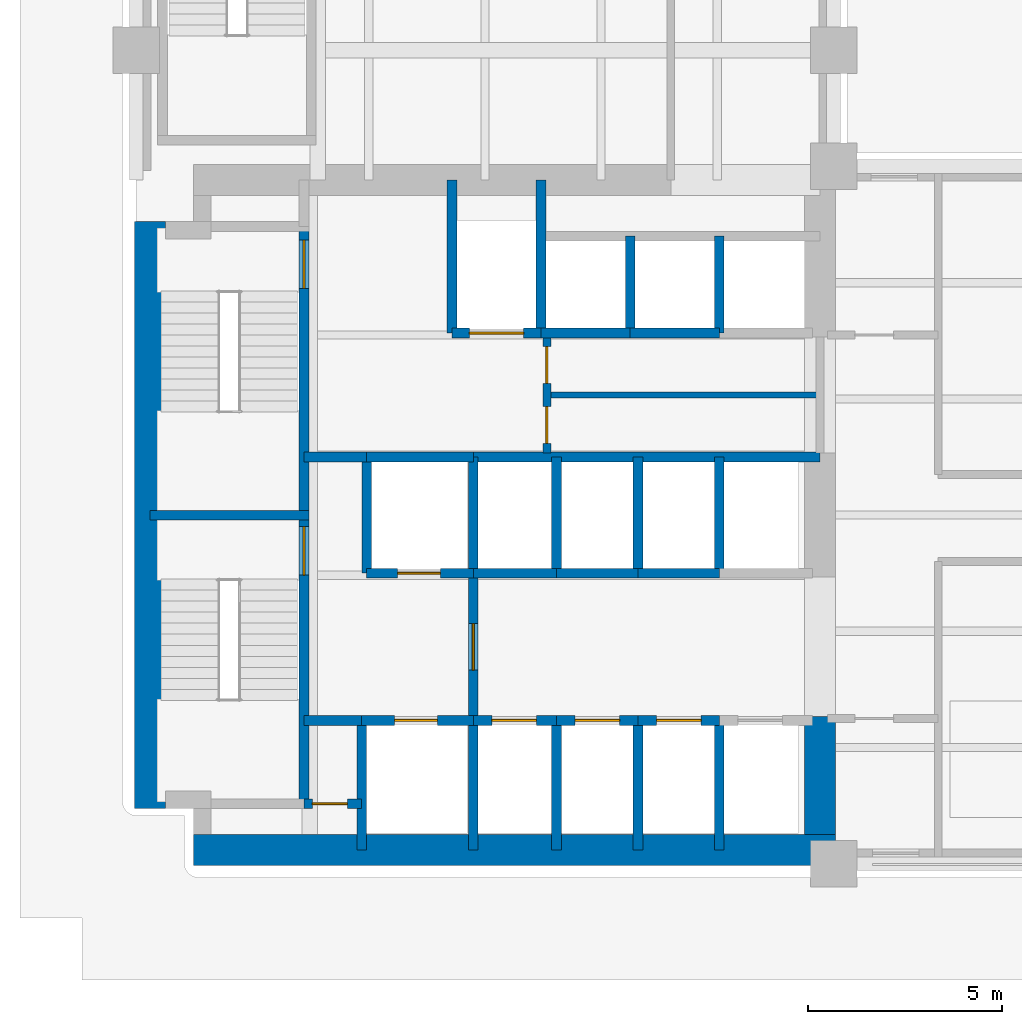
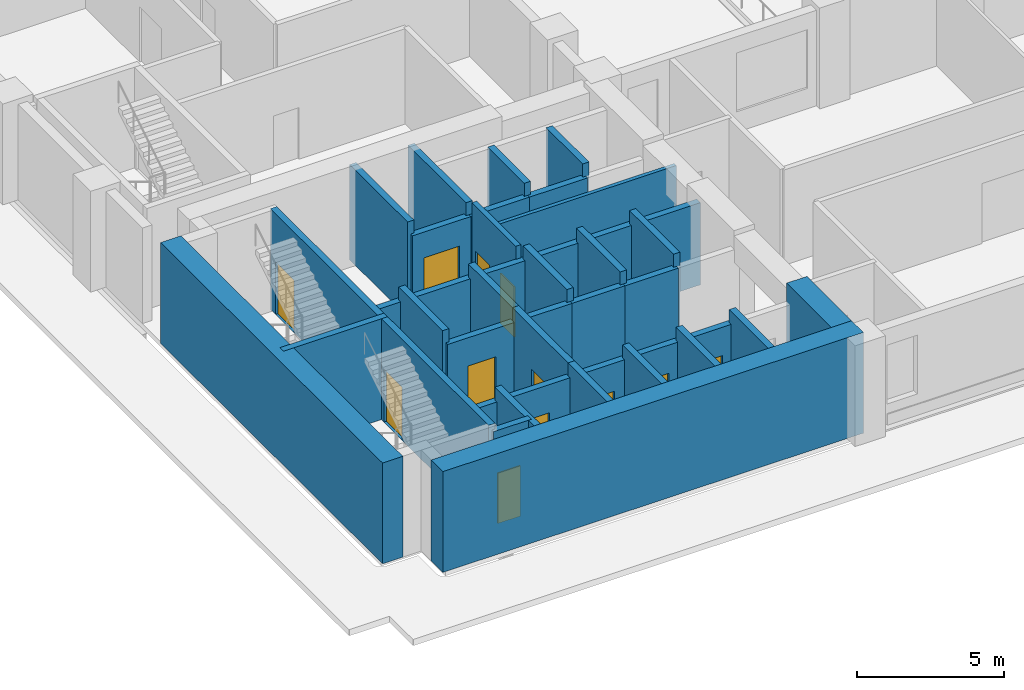
# One storey, part 4 of 9: 39 walls, 12 doors, 12 openings.
"""IFC4 building model written with IfcOpenShell, lengths in metres."""

from ifc_helpers import new_model, si_unit, direction, frame, frame_2d, origin, place, context, subcontext, project, spatial, rectangle, extrude, material, layer, layer_set, type_object, element, fill, save


model = new_model("IFC4")

# Units and contexts
model_context = context("Model", 3, precision=1e-05, world=origin(), true_north=direction((0.0, 1.0)))
body_context = subcontext(model_context, "Body", "Model", "MODEL_VIEW")
ifc_project = project(units=[si_unit("LENGTHUNIT", "METRE"), si_unit("AREAUNIT", "SQUARE_METRE"), si_unit("VOLUMEUNIT", "CUBIC_METRE"), si_unit("PLANEANGLEUNIT", "RADIAN"), si_unit("MASSUNIT", "GRAM", prefix="KILO")], contexts=[model_context])

# Site, building, storey
site_placement = place(None, origin())
site = spatial("IfcSite", under=ifc_project, at=site_placement, CompositionType="ELEMENT")
building_placement = place(site_placement, origin())
building = spatial("IfcBuilding", under=site, at=building_placement, Name="Mawjdan Bourse Tower", CompositionType="ELEMENT")
storey_placement = place(building_placement, frame((0.0, 0.0, 21.60009765625)))
storey = spatial("IfcBuildingStorey", under=building, at=storey_placement, Name="L04", CompositionType="ELEMENT", Elevation=21.60009765625)

# Wall, openings, doors
ifc_material_1 = material(Name="Gypsum Fireboard Assembly")
ifc_layer_1 = layer(ifc_material_1, 0.199951171875)
ifc_layer_set_1 = layer_set([ifc_layer_1], Name="Gypsum Fireboard Assembly")
wall_type_1 = type_object("IfcWallType", Name="WL-CMP-200", PredefinedType="PARTITIONING", material=ifc_layer_set_1)
wall_1_placement = place(storey_placement, frame((16.60009765625, 13.60009765625, 0.0), z_axis=(0.0, 0.0, 1.0), x_axis=(0.0, 1.0, 0.0)))
wall_1 = element("IfcWall", 1, at=wall_1_placement, inside=storey, type_object=wall_type_1, Name="L04 Core Restroom West Wall", PredefinedType="PARTITIONING", context=body_context, shape_type="SweptSolid", body=[
    extrude(rectangle(XDim=3.0, YDim=0.199951171875, at=frame_2d((1.5, 0.0))), origin(), (0.0, 0.0, 1.0), 3.969970703125),
])
opening_1_placement = place(wall_1_placement, frame((0.25, 0.0, 0.0)))
opening_1 = element("IfcOpeningElement", 2, at=opening_1_placement, cuts=wall_1, Name="Opening D-L04-14", PredefinedType="OPENING", context=body_context, shape_type="SweptSolid", body=[
    extrude(rectangle(XDim=0.949951171875, YDim=2.10009765625, at=frame_2d((0.47509765625, 1.050048828125))), frame((0.0, 0.10986328125, 0.0), z_axis=(0.0, -1.0, 0.0), x_axis=(1.0, 0.0, 0.0)), (0.0, 0.0, 1.0), 0.219970703125),
])
opening_2_placement = place(wall_1_placement, frame((1.800048828125, 0.0, 0.0)))
opening_2 = element("IfcOpeningElement", 3, at=opening_2_placement, cuts=wall_1, Name="Opening D-L04-15", PredefinedType="OPENING", context=body_context, shape_type="SweptSolid", body=[
    extrude(rectangle(XDim=0.949951171875, YDim=2.10009765625, at=frame_2d((0.47509765625, 1.050048828125))), frame((0.0, 0.10986328125, 0.0), z_axis=(0.0, -1.0, 0.0), x_axis=(1.0, 0.0, 0.0)), (0.0, 0.0, 1.0), 0.219970703125),
])
ifc_material_2 = material(Name="Moisture-Resistant Laminate Timber", Category="wood")
door_type_1 = type_object("IfcDoorType", Name="DR-WET-0950", OperationType="NOTDEFINED", PredefinedType="DOOR", material=ifc_material_2)
door_1_placement = place(opening_1_placement, origin())
door_1 = element("IfcDoor", 4, at=door_1_placement, inside=storey, type_object=door_type_1, Name="L04 Accessible WC Entry Door D-L04-14", OperationType="SINGLE_SWING_LEFT", OverallHeight=2.10009765625, OverallWidth=0.949951171875, PredefinedType="DOOR", context=body_context, shape_type="SweptSolid", body=[
    extrude(rectangle(XDim=0.949951171875, YDim=2.10009765625, at=frame_2d((0.47509765625, 1.050048828125))), frame((0.0, 0.02490234375, 0.0), z_axis=(0.0, -1.0, 0.0), x_axis=(1.0, 0.0, 0.0)), (0.0, 0.0, 1.0), 0.050048828125),
])
fill(opening_1, door_1)
door_2_placement = place(opening_2_placement, origin())
door_2 = element("IfcDoor", 5, at=door_2_placement, inside=storey, type_object=door_type_1, Name="L04 Male Restroom Entry Door D-L04-15", OperationType="SINGLE_SWING_RIGHT", OverallHeight=2.10009765625, OverallWidth=0.949951171875, PredefinedType="DOOR", context=body_context, shape_type="SweptSolid", body=[
    extrude(rectangle(XDim=0.949951171875, YDim=2.10009765625, at=frame_2d((0.47509765625, 1.050048828125))), frame((0.0, 0.02490234375, 0.0), z_axis=(0.0, -1.0, 0.0), x_axis=(1.0, 0.0, 0.0)), (0.0, 0.0, 1.0), 0.050048828125),
])
fill(opening_2, door_2)

# Walls
ifc_material_3 = material(Name="Concrete C80/95", Category="concrete")
ifc_layer_2 = layer(ifc_material_3, 0.800048828125)
ifc_layer_set_2 = layer_set([ifc_layer_2], Name="Concrete C80/95")
wall_type_2 = type_object("IfcWallType", Name="WL-CORE-800", PredefinedType="SHEAR", material=ifc_layer_set_2)
wall_2_placement = place(storey_placement, frame((7.47509765625, 3.35009765625, 0.0), z_axis=(0.0, 0.0, 1.0), x_axis=(1.0, 0.0, 0.0)))
element("IfcWall", 6, at=wall_2_placement, inside=storey, type_object=wall_type_2, Name="L04 Rear Core Shear Wall S", PredefinedType="SHEAR", context=body_context, shape_type="SweptSolid", body=[
    extrude(rectangle(XDim=16.574951171875, YDim=0.800048828125, at=frame_2d((8.28759765625, 0.0))), origin(), (0.0, 0.0, 1.0), 4.199951171875),
])
wall_3_placement = place(storey_placement, frame((6.35009765625, 4.425048828125, 0.0), z_axis=(0.0, 0.0, 1.0), x_axis=(0.0, 1.0, 0.0)))
element("IfcWall", 7, at=wall_3_placement, inside=storey, type_object=wall_type_2, Name="L04 Rear Core Shear Wall W", PredefinedType="SHEAR", context=body_context, shape_type="SweptSolid", body=[
    extrude(rectangle(XDim=15.14990234375, YDim=0.800048828125, at=frame_2d((7.574951171875, 0.0))), origin(), (0.0, 0.0, 1.0), 4.199951171875),
])
wall_4_placement = place(storey_placement, frame((23.64990234375, 3.75, 0.0), z_axis=(0.0, 0.0, 1.0), x_axis=(0.0, 1.0, 0.0)))
element("IfcWall", 8, at=wall_4_placement, inside=storey, type_object=wall_type_2, Name="L04 Rear Core Shear Wall E1", PredefinedType="SHEAR", context=body_context, shape_type="SweptSolid", body=[
    extrude(rectangle(XDim=3.050048828125, YDim=0.800048828125, at=frame_2d((1.52490234375, 0.0))), origin(), (0.0, 0.0, 1.0), 4.199951171875),
])
ifc_material_4 = material(Name="Gypsum Acoustic Partition")
ifc_layer_3 = layer(ifc_material_4, 0.14990234375)
ifc_layer_set_3 = layer_set([ifc_layer_3], Name="Gypsum Acoustic Partition")
wall_type_3 = type_object("IfcWallType", Name="WL-PRT-150", PredefinedType="PARTITIONING", material=ifc_layer_set_3)
wall_5_placement = place(storey_placement, frame((16.60009765625, 15.10009765625, 0.0), z_axis=(0.0, 0.0, 1.0), x_axis=(1.0, 0.0, 0.0)))
element("IfcWall", 9, at=wall_5_placement, inside=storey, type_object=wall_type_3, Name="L04 Core Restroom Horizontal Split", PredefinedType="PARTITIONING", context=body_context, shape_type="SweptSolid", body=[
    extrude(rectangle(XDim=7.0498046875, YDim=0.14990234375, at=frame_2d((3.52490234375, 0.0))), origin(), (0.0, 0.0, 1.0), 3.969970703125),
])

# Wall, opening, door
ifc_material_5 = material(Name="Concrete C50/60", Category="concrete")
ifc_layer_4 = layer(ifc_material_5, 0.25)
ifc_layer_set_4 = layer_set([ifc_layer_4], Name="Concrete C50/60")
wall_type_4 = type_object("IfcWallType", Name="WL-SHFT-250", PredefinedType="PARTITIONING", material=ifc_layer_set_4)
wall_6_placement = place(storey_placement, frame((10.330078125, 4.550048828125, 0.0), z_axis=(0.0, 0.0, 1.0), x_axis=(1.0, 0.0, 0.0)))
wall_6 = element("IfcWall", 10, at=wall_6_placement, inside=storey, type_object=wall_type_4, Name="L04 SW Riser North Wall", PredefinedType="PARTITIONING", context=body_context, shape_type="SweptSolid", body=[
    extrude(rectangle(XDim=1.489990234375, YDim=0.25, at=frame_2d((0.7451171875, 0.0))), origin(), (0.0, 0.0, 1.0), 3.969970703125),
])
opening_3_placement = place(wall_6_placement, frame((0.219970703125, 0.0, 0.0)))
opening_3 = element("IfcOpeningElement", 11, at=opening_3_placement, cuts=wall_6, Name="Opening RD-L04-03", PredefinedType="OPENING", context=body_context, shape_type="SweptSolid", body=[
    extrude(rectangle(XDim=0.89990234375, YDim=2.10009765625, at=frame_2d((0.449951171875, 1.050048828125))), frame((0.0, 0.135009765625, 0.0), z_axis=(0.0, -1.0, 0.0), x_axis=(1.0, 0.0, 0.0)), (0.0, 0.0, 1.0), 0.27001953125),
])
ifc_material_6 = material(Name="Fire-Rated Steel Access Leaf", Category="steel")
door_type_2 = type_object("IfcDoorType", Name="FD-RSR-0900", OperationType="NOTDEFINED", PredefinedType="TRAPDOOR", material=ifc_material_6)
door_3_placement = place(opening_3_placement, origin())
door_3 = element("IfcDoor", 12, at=door_3_placement, inside=storey, type_object=door_type_2, Name="L04 Electrical Riser Access Door RD-L04-03", OperationType="SINGLE_SWING_LEFT", OverallHeight=2.10009765625, OverallWidth=0.89990234375, PredefinedType="TRAPDOOR", context=body_context, shape_type="SweptSolid", body=[
    extrude(rectangle(XDim=0.89990234375, YDim=2.10009765625, at=frame_2d((0.449951171875, 1.050048828125))), frame((0.0, 0.02490234375, 0.0), z_axis=(0.0, -1.0, 0.0), x_axis=(1.0, 0.0, 0.0)), (0.0, 0.0, 1.0), 0.050048828125),
])
fill(opening_3, door_3)

# Wall
wall_7_placement = place(storey_placement, frame((11.820068359375, 3.35009765625, 0.0), z_axis=(0.0, 0.0, 1.0), x_axis=(0.0, 1.0, 0.0)))
element("IfcWall", 13, at=wall_7_placement, inside=storey, type_object=wall_type_4, Name="L04 SW Riser & FFL01 West Wall", PredefinedType="PARTITIONING", context=body_context, shape_type="SweptSolid", body=[
    extrude(rectangle(XDim=3.349853515625, YDim=0.25, at=frame_2d((1.6748046875, 0.0))), origin(), (0.0, 0.0, 1.0), 3.969970703125),
])

# Wall, opening, door
wall_8_placement = place(storey_placement, frame((11.820068359375, 6.699951171875, 0.0), z_axis=(0.0, 0.0, 1.0), x_axis=(1.0, 0.0, 0.0)))
wall_8 = element("IfcWall", 14, at=wall_8_placement, inside=storey, type_object=wall_type_4, Name="L04 FFL-01 Front Shaft Wall", PredefinedType="PARTITIONING", context=body_context, shape_type="SweptSolid", body=[
    extrude(rectangle(XDim=2.8798828125, YDim=0.25, at=frame_2d((1.43994140625, 0.0))), origin(), (0.0, 0.0, 1.0), 3.42578125),
])
opening_4_placement = place(wall_8_placement, frame((0.85009765625, 0.0, 0.0)))
opening_4 = element("IfcOpeningElement", 15, at=opening_4_placement, cuts=wall_8, Name="Opening LD-L04-05", PredefinedType="OPENING", context=body_context, shape_type="SweptSolid", body=[
    extrude(rectangle(XDim=1.10009765625, YDim=2.25, at=frame_2d((0.550048828125, 1.125))), frame((0.0, 0.135009765625, 0.0), z_axis=(0.0, -1.0, 0.0), x_axis=(1.0, 0.0, 0.0)), (0.0, 0.0, 1.0), 0.27001953125),
])
ifc_material_7 = material(Name="Brushed Stainless Steel", Category="steel")
door_type_3 = type_object("IfcDoorType", Name="LD-FFL-1100", OperationType="DOUBLE_DOOR_SLIDING", PredefinedType="DOOR", material=ifc_material_7)
door_4_placement = place(opening_4_placement, origin())
door_4 = element("IfcDoor", 16, at=door_4_placement, inside=storey, type_object=door_type_3, Name="L04 Firefighting Lift FFL-01 Landing Door LD-L04-05", OperationType="DOUBLE_DOOR_SLIDING", OverallHeight=2.25, OverallWidth=1.10009765625, PredefinedType="DOOR", context=body_context, shape_type="SweptSolid", body=[
    extrude(rectangle(XDim=1.10009765625, YDim=2.25, at=frame_2d((0.550048828125, 1.125))), frame((0.0, 0.02490234375, 0.0), z_axis=(0.0, -1.0, 0.0), x_axis=(1.0, 0.0, 0.0)), (0.0, 0.0, 1.0), 0.050048828125),
])
fill(opening_4, door_4)

# Wall
wall_9_placement = place(storey_placement, frame((14.699951171875, 3.35009765625, 0.0), z_axis=(0.0, 0.0, 1.0), x_axis=(0.0, 1.0, 0.0)))
element("IfcWall", 17, at=wall_9_placement, inside=storey, type_object=wall_type_4, Name="L04 FFL-01 East Shaft Wall", PredefinedType="PARTITIONING", context=body_context, shape_type="SweptSolid", body=[
    extrude(rectangle(XDim=3.349853515625, YDim=0.25, at=frame_2d((1.6748046875, 0.0))), origin(), (0.0, 0.0, 1.0), 3.969970703125),
])

# Wall, opening, door
wall_10_placement = place(storey_placement, frame((11.949951171875, 10.5, 0.0), z_axis=(0.0, 0.0, 1.0), x_axis=(1.0, 0.0, 0.0)))
wall_10 = element("IfcWall", 18, at=wall_10_placement, inside=storey, type_object=wall_type_4, Name="L04 FFL-02 Front Shaft Wall", PredefinedType="PARTITIONING", context=body_context, shape_type="SweptSolid", body=[
    extrude(rectangle(XDim=2.75, YDim=0.25, at=frame_2d((1.375, 0.0))), origin(), (0.0, 0.0, 1.0), 3.42578125),
])
opening_5_placement = place(wall_10_placement, frame((0.800048828125, 0.0, 0.0)))
opening_5 = element("IfcOpeningElement", 19, at=opening_5_placement, cuts=wall_10, Name="Opening LD-L04-06", PredefinedType="OPENING", context=body_context, shape_type="SweptSolid", body=[
    extrude(rectangle(XDim=1.10009765625, YDim=2.25, at=frame_2d((0.550048828125, 1.125))), frame((0.0, 0.135009765625, 0.0), z_axis=(0.0, -1.0, 0.0), x_axis=(1.0, 0.0, 0.0)), (0.0, 0.0, 1.0), 0.27001953125),
])
door_5_placement = place(opening_5_placement, origin())
door_5 = element("IfcDoor", 20, at=door_5_placement, inside=storey, type_object=door_type_3, Name="L04 Firefighting Lift FFL-02 Landing Door LD-L04-06", OperationType="DOUBLE_DOOR_SLIDING", OverallHeight=2.25, OverallWidth=1.10009765625, PredefinedType="DOOR", context=body_context, shape_type="SweptSolid", body=[
    extrude(rectangle(XDim=1.10009765625, YDim=2.25, at=frame_2d((0.550048828125, 1.125))), frame((0.0, 0.02490234375, 0.0), z_axis=(0.0, -1.0, 0.0), x_axis=(1.0, 0.0, 0.0)), (0.0, 0.0, 1.0), 0.050048828125),
])
fill(opening_5, door_5)

# Walls
wall_11_placement = place(storey_placement, frame((11.949951171875, 10.5, 0.0), z_axis=(0.0, 0.0, 1.0), x_axis=(0.0, 1.0, 0.0)))
element("IfcWall", 21, at=wall_11_placement, inside=storey, type_object=wall_type_4, Name="L04 FFL-02 West Shaft Wall", PredefinedType="PARTITIONING", context=body_context, shape_type="SweptSolid", body=[
    extrude(rectangle(XDim=3.0, YDim=0.25, at=frame_2d((1.5, 0.0))), origin(), (0.0, 0.0, 1.0), 3.969970703125),
])
wall_12_placement = place(storey_placement, frame((11.949951171875, 13.5, 0.0), z_axis=(0.0, 0.0, 1.0), x_axis=(1.0, 0.0, 0.0)))
element("IfcWall", 22, at=wall_12_placement, inside=storey, type_object=wall_type_4, Name="L04 FFL-02 North Shaft Wall", PredefinedType="PARTITIONING", context=body_context, shape_type="SweptSolid", body=[
    extrude(rectangle(XDim=2.75, YDim=0.25, at=frame_2d((1.375, 0.0))), origin(), (0.0, 0.0, 1.0), 3.42578125),
])
wall_13_placement = place(storey_placement, frame((14.699951171875, 10.5, 0.0), z_axis=(0.0, 0.0, 1.0), x_axis=(0.0, 1.0, 0.0)))
element("IfcWall", 23, at=wall_13_placement, inside=storey, type_object=wall_type_4, Name="L04 FFL-02 East Shaft Wall", PredefinedType="PARTITIONING", context=body_context, shape_type="SweptSolid", body=[
    extrude(rectangle(XDim=3.0, YDim=0.25, at=frame_2d((1.5, 0.0))), origin(), (0.0, 0.0, 1.0), 3.969970703125),
])

# Wall, opening, door
wall_14_placement = place(storey_placement, frame((14.699951171875, 6.699951171875, 0.0), z_axis=(0.0, 0.0, 1.0), x_axis=(0.0, 1.0, 0.0)))
wall_14 = element("IfcWall", 24, at=wall_14_placement, inside=storey, type_object=wall_type_4, Name="L04 Firefighting Lobby East Compartment Wall", PredefinedType="PARTITIONING", context=body_context, shape_type="SweptSolid", body=[
    extrude(rectangle(XDim=3.800048828125, YDim=0.25, at=frame_2d((1.89990234375, 0.0))), origin(), (0.0, 0.0, 1.0), 3.969970703125),
])
opening_6_placement = place(wall_14_placement, frame((1.300048828125, 0.0, 0.0)))
opening_6 = element("IfcOpeningElement", 25, at=opening_6_placement, cuts=wall_14, Name="Opening FD-L04-07", PredefinedType="OPENING", context=body_context, shape_type="SweptSolid", body=[
    extrude(rectangle(XDim=1.199951171875, YDim=2.199951171875, at=frame_2d((0.60009765625, 1.10009765625))), frame((0.0, 0.135009765625, 0.0), z_axis=(0.0, -1.0, 0.0), x_axis=(1.0, 0.0, 0.0)), (0.0, 0.0, 1.0), 0.27001953125),
])
ifc_material_8 = material(Name="Fire-Rated Steel Leaf", Category="steel")
door_type_4 = type_object("IfcDoorType", Name="FD-FFL-1200", OperationType="NOTDEFINED", PredefinedType="DOOR", material=ifc_material_8)
door_6_placement = place(opening_6_placement, origin())
door_6 = element("IfcDoor", 26, at=door_6_placement, inside=storey, type_object=door_type_4, Name="L04 Firefighting Lobby East Smoke Door FD-L04-07", OperationType="SINGLE_SWING_LEFT", OverallHeight=2.199951171875, OverallWidth=1.199951171875, PredefinedType="DOOR", context=body_context, shape_type="SweptSolid", body=[
    extrude(rectangle(XDim=1.199951171875, YDim=2.199951171875, at=frame_2d((0.60009765625, 1.10009765625))), frame((0.0, 0.02490234375, 0.0), z_axis=(0.0, -1.0, 0.0), x_axis=(1.0, 0.0, 0.0)), (0.0, 0.0, 1.0), 0.050048828125),
])
fill(opening_6, door_6)

# Walls
wall_15_placement = place(storey_placement, frame((10.330078125, 13.5, 0.0), z_axis=(0.0, 0.0, 1.0), x_axis=(1.0, 0.0, 0.0)))
element("IfcWall", 27, at=wall_15_placement, inside=storey, type_object=wall_type_4, Name="L04 Firefighting Lobby North Compartment Wall", PredefinedType="PARTITIONING", context=body_context, shape_type="SweptSolid", body=[
    extrude(rectangle(XDim=1.619873046875, YDim=0.25, at=frame_2d((0.81005859375, 0.0))), origin(), (0.0, 0.0, 1.0), 3.42578125),
])
wall_16_placement = place(storey_placement, frame((10.330078125, 6.699951171875, 0.0), z_axis=(0.0, 0.0, 1.0), x_axis=(1.0, 0.0, 0.0)))
element("IfcWall", 28, at=wall_16_placement, inside=storey, type_object=wall_type_4, Name="L04 Firefighting Lobby South Closure Wall", PredefinedType="PARTITIONING", context=body_context, shape_type="SweptSolid", body=[
    extrude(rectangle(XDim=1.489990234375, YDim=0.25, at=frame_2d((0.7451171875, 0.0))), origin(), (0.0, 0.0, 1.0), 3.42578125),
])

# Wall, opening, door
wall_17_placement = place(storey_placement, frame((14.14990234375, 16.699951171875, 0.0), z_axis=(0.0, 0.0, 1.0), x_axis=(1.0, 0.0, 0.0)))
wall_17 = element("IfcWall", 29, at=wall_17_placement, inside=storey, type_object=wall_type_4, Name="L04 SVL-01 Front Shaft Wall", PredefinedType="PARTITIONING", context=body_context, shape_type="SweptSolid", body=[
    extrude(rectangle(XDim=2.300048828125, YDim=0.25, at=frame_2d((1.14990234375, 0.0))), origin(), (0.0, 0.0, 1.0), 3.42578125),
])
opening_7_placement = place(wall_17_placement, frame((0.449951171875, 0.0, 0.0)))
opening_7 = element("IfcOpeningElement", 30, at=opening_7_placement, cuts=wall_17, Name="Opening LD-L04-09", PredefinedType="OPENING", context=body_context, shape_type="SweptSolid", body=[
    extrude(rectangle(XDim=1.39990234375, YDim=2.35009765625, at=frame_2d((0.699951171875, 1.175048828125))), frame((0.0, 0.135009765625, 0.0), z_axis=(0.0, -1.0, 0.0), x_axis=(1.0, 0.0, 0.0)), (0.0, 0.0, 1.0), 0.27001953125),
])
ifc_material_9 = material(Name="Heavy-Duty Stainless Steel", Category="steel")
door_type_5 = type_object("IfcDoorType", Name="LD-SRV-1400", OperationType="DOUBLE_DOOR_SLIDING", PredefinedType="DOOR", material=ifc_material_9)
door_7_placement = place(opening_7_placement, origin())
door_7 = element("IfcDoor", 31, at=door_7_placement, inside=storey, type_object=door_type_5, Name="L04 Service Lift SVL-01 Landing Door LD-L04-09", OperationType="DOUBLE_DOOR_SLIDING", OverallHeight=2.35009765625, OverallWidth=1.39990234375, PredefinedType="DOOR", context=body_context, shape_type="SweptSolid", body=[
    extrude(rectangle(XDim=1.39990234375, YDim=2.35009765625, at=frame_2d((0.699951171875, 1.175048828125))), frame((0.0, 0.02490234375, 0.0), z_axis=(0.0, -1.0, 0.0), x_axis=(1.0, 0.0, 0.0)), (0.0, 0.0, 1.0), 0.050048828125),
])
fill(opening_7, door_7)

# Walls
for number, where, z_axis, x_axis, name in (
    (32, (14.14990234375, 16.699951171875, 0.0), (0.0, 0.0, 1.0), (0.0, 1.0, 0.0), "L04 SVL-01 West Shaft Wall"),
    (33, (16.449951171875, 16.699951171875, 0.0), (0.0, 0.0, 1.0), (0.0, 1.0, 0.0), "L04 SVL-01 East Shaft Wall"),
):
    element("IfcWall", number, at=place(storey_placement, frame(where, z_axis=z_axis, x_axis=x_axis)), inside=storey, type_object=wall_type_4, Name=name, PredefinedType="PARTITIONING", context=body_context, shape_type="SweptSolid", body=[
        extrude(rectangle(XDim=3.949951171875, YDim=0.25, at=frame_2d((1.97509765625, 0.0))), origin(), (0.0, 0.0, 1.0), 3.969970703125),
    ])
wall_18_placement = place(storey_placement, frame((16.449951171875, 16.699951171875, 0.0), z_axis=(0.0, 0.0, 1.0), x_axis=(1.0, 0.0, 0.0)))
element("IfcWall", 34, at=wall_18_placement, inside=storey, type_object=wall_type_4, Name="L04 PH-01 Front Wall", PredefinedType="PARTITIONING", context=body_context, shape_type="SweptSolid", body=[
    extrude(rectangle(XDim=2.300048828125, YDim=0.25, at=frame_2d((1.14990234375, 0.0))), origin(), (0.0, 0.0, 1.0), 3.42578125),
])
wall_19_placement = place(storey_placement, frame((18.75, 16.699951171875, 0.0), z_axis=(0.0, 0.0, 1.0), x_axis=(0.0, 1.0, 0.0)))
element("IfcWall", 35, at=wall_19_placement, inside=storey, type_object=wall_type_4, Name="L04 PH-01 Divider Wall", PredefinedType="PARTITIONING", context=body_context, shape_type="SweptSolid", body=[
    extrude(rectangle(XDim=2.5, YDim=0.25, at=frame_2d((1.25, 0.0))), origin(), (0.0, 0.0, 1.0), 3.969970703125),
])
wall_20_placement = place(storey_placement, frame((18.75, 16.699951171875, 0.0), z_axis=(0.0, 0.0, 1.0), x_axis=(1.0, 0.0, 0.0)))
element("IfcWall", 36, at=wall_20_placement, inside=storey, type_object=wall_type_4, Name="L04 PH-02 Front Wall", PredefinedType="PARTITIONING", context=body_context, shape_type="SweptSolid", body=[
    extrude(rectangle(XDim=2.300048828125, YDim=0.25, at=frame_2d((1.14990234375, 0.0))), origin(), (0.0, 0.0, 1.0), 3.42578125),
])
wall_21_placement = place(storey_placement, frame((21.050048828125, 16.699951171875, 0.0), z_axis=(0.0, 0.0, 1.0), x_axis=(0.0, 1.0, 0.0)))
element("IfcWall", 37, at=wall_21_placement, inside=storey, type_object=wall_type_4, Name="L04 PH-02 Divider Wall", PredefinedType="PARTITIONING", context=body_context, shape_type="SweptSolid", body=[
    extrude(rectangle(XDim=2.5, YDim=0.25, at=frame_2d((1.25, 0.0))), origin(), (0.0, 0.0, 1.0), 3.969970703125),
])

# Wall, opening, door
wall_22_placement = place(storey_placement, frame((14.699951171875, 6.699951171875, 0.0), z_axis=(0.0, 0.0, 1.0), x_axis=(1.0, 0.0, 0.0)))
wall_22 = element("IfcWall", 38, at=wall_22_placement, inside=storey, type_object=wall_type_4, Name="L04 PL-04 Front Wall", PredefinedType="PARTITIONING", context=body_context, shape_type="SweptSolid", body=[
    extrude(rectangle(XDim=2.150146484375, YDim=0.25, at=frame_2d((1.0751953125, 0.0))), origin(), (0.0, 0.0, 1.0), 3.42578125),
])
opening_8_placement = place(wall_22_placement, frame((0.47998046875, 0.0, 0.0)))
opening_8 = element("IfcOpeningElement", 39, at=opening_8_placement, cuts=wall_22, Name="Opening LD-L04-10", PredefinedType="OPENING", context=body_context, shape_type="SweptSolid", body=[
    extrude(rectangle(XDim=1.14990234375, YDim=2.25, at=frame_2d((0.574951171875, 1.125))), frame((0.0, 0.135009765625, 0.0), z_axis=(0.0, -1.0, 0.0), x_axis=(1.0, 0.0, 0.0)), (0.0, 0.0, 1.0), 0.27001953125),
])
door_type_6 = type_object("IfcDoorType", Name="LD-PAS-1150", OperationType="DOUBLE_DOOR_SLIDING", PredefinedType="DOOR", material=ifc_material_7)
door_8_placement = place(opening_8_placement, origin())
door_8 = element("IfcDoor", 40, at=door_8_placement, inside=storey, type_object=door_type_6, Name="L04 Lift PL-04 Landing Door LD-L04-10", OperationType="DOUBLE_DOOR_SLIDING", OverallHeight=2.25, OverallWidth=1.14990234375, PredefinedType="DOOR", context=body_context, shape_type="SweptSolid", body=[
    extrude(rectangle(XDim=1.14990234375, YDim=2.25, at=frame_2d((0.574951171875, 1.125))), frame((0.0, 0.02490234375, 0.0), z_axis=(0.0, -1.0, 0.0), x_axis=(1.0, 0.0, 0.0)), (0.0, 0.0, 1.0), 0.050048828125),
])
fill(opening_8, door_8)

# Wall
wall_23_placement = place(storey_placement, frame((16.85009765625, 3.35009765625, 0.0), z_axis=(0.0, 0.0, 1.0), x_axis=(0.0, 1.0, 0.0)))
element("IfcWall", 41, at=wall_23_placement, inside=storey, type_object=wall_type_4, Name="L04 PL-04 Divider Wall", PredefinedType="PARTITIONING", context=body_context, shape_type="SweptSolid", body=[
    extrude(rectangle(XDim=3.349853515625, YDim=0.25, at=frame_2d((1.6748046875, 0.0))), origin(), (0.0, 0.0, 1.0), 3.969970703125),
])

# Wall, opening, door
wall_24_placement = place(storey_placement, frame((16.85009765625, 6.699951171875, 0.0), z_axis=(0.0, 0.0, 1.0), x_axis=(1.0, 0.0, 0.0)))
wall_24 = element("IfcWall", 42, at=wall_24_placement, inside=storey, type_object=wall_type_4, Name="L04 PL-01 Front Wall", PredefinedType="PARTITIONING", context=body_context, shape_type="SweptSolid", body=[
    extrude(rectangle(XDim=2.099853515625, YDim=0.25, at=frame_2d((1.0498046875, 0.0))), origin(), (0.0, 0.0, 1.0), 3.42578125),
])
opening_9_placement = place(wall_24_placement, frame((0.47998046875, 0.0, 0.0)))
opening_9 = element("IfcOpeningElement", 43, at=opening_9_placement, cuts=wall_24, Name="Opening LD-L04-11", PredefinedType="OPENING", context=body_context, shape_type="SweptSolid", body=[
    extrude(rectangle(XDim=1.14990234375, YDim=2.25, at=frame_2d((0.574951171875, 1.125))), frame((0.0, 0.135009765625, 0.0), z_axis=(0.0, -1.0, 0.0), x_axis=(1.0, 0.0, 0.0)), (0.0, 0.0, 1.0), 0.27001953125),
])
door_9_placement = place(opening_9_placement, origin())
door_9 = element("IfcDoor", 44, at=door_9_placement, inside=storey, type_object=door_type_6, Name="L04 Lift PL-01 Landing Door LD-L04-11", OperationType="DOUBLE_DOOR_SLIDING", OverallHeight=2.25, OverallWidth=1.14990234375, PredefinedType="DOOR", context=body_context, shape_type="SweptSolid", body=[
    extrude(rectangle(XDim=1.14990234375, YDim=2.25, at=frame_2d((0.574951171875, 1.125))), frame((0.0, 0.02490234375, 0.0), z_axis=(0.0, -1.0, 0.0), x_axis=(1.0, 0.0, 0.0)), (0.0, 0.0, 1.0), 0.050048828125),
])
fill(opening_9, door_9)

# Wall
wall_25_placement = place(storey_placement, frame((18.949951171875, 3.35009765625, 0.0), z_axis=(0.0, 0.0, 1.0), x_axis=(0.0, 1.0, 0.0)))
element("IfcWall", 45, at=wall_25_placement, inside=storey, type_object=wall_type_4, Name="L04 PL-01 Divider Wall", PredefinedType="PARTITIONING", context=body_context, shape_type="SweptSolid", body=[
    extrude(rectangle(XDim=3.349853515625, YDim=0.25, at=frame_2d((1.6748046875, 0.0))), origin(), (0.0, 0.0, 1.0), 3.969970703125),
])

# Wall, opening, door
wall_26_placement = place(storey_placement, frame((18.949951171875, 6.699951171875, 0.0), z_axis=(0.0, 0.0, 1.0), x_axis=(1.0, 0.0, 0.0)))
wall_26 = element("IfcWall", 46, at=wall_26_placement, inside=storey, type_object=wall_type_4, Name="L04 PL-02 Front Wall", PredefinedType="PARTITIONING", context=body_context, shape_type="SweptSolid", body=[
    extrude(rectangle(XDim=2.10009765625, YDim=0.25, at=frame_2d((1.050048828125, 0.0))), origin(), (0.0, 0.0, 1.0), 3.42578125),
])
opening_10_placement = place(wall_26_placement, frame((0.47998046875, 0.0, 0.0)))
opening_10 = element("IfcOpeningElement", 47, at=opening_10_placement, cuts=wall_26, Name="Opening LD-L04-12", PredefinedType="OPENING", context=body_context, shape_type="SweptSolid", body=[
    extrude(rectangle(XDim=1.14990234375, YDim=2.25, at=frame_2d((0.574951171875, 1.125))), frame((0.0, 0.135009765625, 0.0), z_axis=(0.0, -1.0, 0.0), x_axis=(1.0, 0.0, 0.0)), (0.0, 0.0, 1.0), 0.27001953125),
])
door_10_placement = place(opening_10_placement, origin())
door_10 = element("IfcDoor", 48, at=door_10_placement, inside=storey, type_object=door_type_6, Name="L04 Lift PL-02 Landing Door LD-L04-12", OperationType="DOUBLE_DOOR_SLIDING", OverallHeight=2.25, OverallWidth=1.14990234375, PredefinedType="DOOR", context=body_context, shape_type="SweptSolid", body=[
    extrude(rectangle(XDim=1.14990234375, YDim=2.25, at=frame_2d((0.574951171875, 1.125))), frame((0.0, 0.02490234375, 0.0), z_axis=(0.0, -1.0, 0.0), x_axis=(1.0, 0.0, 0.0)), (0.0, 0.0, 1.0), 0.050048828125),
])
fill(opening_10, door_10)

# Walls
wall_27_placement = place(storey_placement, frame((21.050048828125, 3.35009765625, 0.0), z_axis=(0.0, 0.0, 1.0), x_axis=(0.0, 1.0, 0.0)))
element("IfcWall", 49, at=wall_27_placement, inside=storey, type_object=wall_type_4, Name="L04 PL-02 Divider Wall", PredefinedType="PARTITIONING", context=body_context, shape_type="SweptSolid", body=[
    extrude(rectangle(XDim=3.349853515625, YDim=0.25, at=frame_2d((1.6748046875, 0.0))), origin(), (0.0, 0.0, 1.0), 3.969970703125),
])
wall_28_placement = place(storey_placement, frame((14.699951171875, 10.5, 0.0), z_axis=(0.0, 0.0, 1.0), x_axis=(1.0, 0.0, 0.0)))
element("IfcWall", 50, at=wall_28_placement, inside=storey, type_object=wall_type_4, Name="L04 PM-01 Front Wall", PredefinedType="PARTITIONING", context=body_context, shape_type="SweptSolid", body=[
    extrude(rectangle(XDim=2.150146484375, YDim=0.25, at=frame_2d((1.0751953125, 0.0))), origin(), (0.0, 0.0, 1.0), 3.42578125),
])
wall_29_placement = place(storey_placement, frame((16.85009765625, 10.5, 0.0), z_axis=(0.0, 0.0, 1.0), x_axis=(0.0, 1.0, 0.0)))
element("IfcWall", 51, at=wall_29_placement, inside=storey, type_object=wall_type_4, Name="L04 PM-01 Divider Wall", PredefinedType="PARTITIONING", context=body_context, shape_type="SweptSolid", body=[
    extrude(rectangle(XDim=3.0, YDim=0.25, at=frame_2d((1.5, 0.0))), origin(), (0.0, 0.0, 1.0), 3.969970703125),
])
wall_30_placement = place(storey_placement, frame((16.85009765625, 10.5, 0.0), z_axis=(0.0, 0.0, 1.0), x_axis=(1.0, 0.0, 0.0)))
element("IfcWall", 52, at=wall_30_placement, inside=storey, type_object=wall_type_4, Name="L04 PM-02 Front Wall", PredefinedType="PARTITIONING", context=body_context, shape_type="SweptSolid", body=[
    extrude(rectangle(XDim=2.099853515625, YDim=0.25, at=frame_2d((1.0498046875, 0.0))), origin(), (0.0, 0.0, 1.0), 3.42578125),
])
wall_31_placement = place(storey_placement, frame((18.949951171875, 10.5, 0.0), z_axis=(0.0, 0.0, 1.0), x_axis=(0.0, 1.0, 0.0)))
element("IfcWall", 53, at=wall_31_placement, inside=storey, type_object=wall_type_4, Name="L04 PM-02 Divider Wall", PredefinedType="PARTITIONING", context=body_context, shape_type="SweptSolid", body=[
    extrude(rectangle(XDim=3.0, YDim=0.25, at=frame_2d((1.5, 0.0))), origin(), (0.0, 0.0, 1.0), 3.969970703125),
])
wall_32_placement = place(storey_placement, frame((18.949951171875, 10.5, 0.0), z_axis=(0.0, 0.0, 1.0), x_axis=(1.0, 0.0, 0.0)))
element("IfcWall", 54, at=wall_32_placement, inside=storey, type_object=wall_type_4, Name="L04 PM-03 Front Wall", PredefinedType="PARTITIONING", context=body_context, shape_type="SweptSolid", body=[
    extrude(rectangle(XDim=2.10009765625, YDim=0.25, at=frame_2d((1.050048828125, 0.0))), origin(), (0.0, 0.0, 1.0), 3.42578125),
])
wall_33_placement = place(storey_placement, frame((21.050048828125, 10.5, 0.0), z_axis=(0.0, 0.0, 1.0), x_axis=(0.0, 1.0, 0.0)))
element("IfcWall", 55, at=wall_33_placement, inside=storey, type_object=wall_type_4, Name="L04 PM-03 Divider Wall", PredefinedType="PARTITIONING", context=body_context, shape_type="SweptSolid", body=[
    extrude(rectangle(XDim=3.0, YDim=0.25, at=frame_2d((1.5, 0.0))), origin(), (0.0, 0.0, 1.0), 3.969970703125),
])
wall_34_placement = place(storey_placement, frame((14.699951171875, 13.5, 0.0), z_axis=(0.0, 0.0, 1.0), x_axis=(1.0, 0.0, 0.0)))
element("IfcWall", 56, at=wall_34_placement, inside=storey, type_object=wall_type_4, Name="L04 PM Bank North Shaft Back Wall", PredefinedType="PARTITIONING", context=body_context, shape_type="SweptSolid", body=[
    extrude(rectangle(XDim=8.949951171875, YDim=0.25, at=frame_2d((4.47509765625, 0.0))), origin(), (0.0, 0.0, 1.0), 3.42578125),
])
ifc_layer_5 = layer(ifc_material_5, 0.25)
ifc_layer_set_5 = layer_set([ifc_layer_5], Name="Concrete C50/60")
wall_type_5 = type_object("IfcWallType", Name="WL-STRW-250", PredefinedType="SHEAR", material=ifc_layer_set_5)
wall_35_placement = place(storey_placement, frame((6.35009765625, 12.0, 0.0), z_axis=(0.0, 0.0, 1.0), x_axis=(1.0, 0.0, 0.0)))
element("IfcWall", 57, at=wall_35_placement, inside=storey, type_object=wall_type_5, Name="L04 Stairwell Dividing Shaft Wall", PredefinedType="SHEAR", context=body_context, shape_type="SweptSolid", body=[
    extrude(rectangle(XDim=4.10498046875, YDim=0.25, at=frame_2d((2.052490234375, 0.0))), origin(), (0.0, 0.0, 1.0), 4.199951171875),
])

# Wall, opening, door
wall_36_placement = place(storey_placement, frame((10.330078125, 4.550048828125, 0.0), z_axis=(0.0, 0.0, 1.0), x_axis=(0.0, 1.0, 0.0)))
wall_36 = element("IfcWall", 58, at=wall_36_placement, inside=storey, type_object=wall_type_5, Name="L04 Stairwell ST1 East Enclosure Wall", PredefinedType="SHEAR", context=body_context, shape_type="SweptSolid", body=[
    extrude(rectangle(XDim=7.449951171875, YDim=0.25, at=frame_2d((3.72509765625, 0.0))), origin(), (0.0, 0.0, 1.0), 4.199951171875),
])
opening_11_placement = place(wall_36_placement, frame((5.89990234375, 0.0, 0.0)))
opening_11 = element("IfcOpeningElement", 59, at=opening_11_placement, cuts=wall_36, Name="Opening SD-L04-01", PredefinedType="OPENING", context=body_context, shape_type="SweptSolid", body=[
    extrude(rectangle(XDim=1.25, YDim=2.199951171875, at=frame_2d((0.625, 1.10009765625))), frame((0.0, 0.135009765625, 0.0), z_axis=(0.0, -1.0, 0.0), x_axis=(1.0, 0.0, 0.0)), (0.0, 0.0, 1.0), 0.27001953125),
])
door_type_7 = type_object("IfcDoorType", Name="FD-ST-1250", OperationType="NOTDEFINED", PredefinedType="DOOR", material=ifc_material_8)
door_11_placement = place(opening_11_placement, origin())
door_11 = element("IfcDoor", 60, at=door_11_placement, inside=storey, type_object=door_type_7, Name="L04 Exit Stair ST1 Fire Door SD-L04-01", OperationType="SINGLE_SWING_LEFT", OverallHeight=2.199951171875, OverallWidth=1.25, PredefinedType="DOOR", context=body_context, shape_type="SweptSolid", body=[
    extrude(rectangle(XDim=1.25, YDim=2.199951171875, at=frame_2d((0.625, 1.10009765625))), frame((0.0, 0.02490234375, 0.0), z_axis=(0.0, -1.0, 0.0), x_axis=(1.0, 0.0, 0.0)), (0.0, 0.0, 1.0), 0.050048828125),
])
fill(opening_11, door_11)

wall_37_placement = place(storey_placement, frame((10.330078125, 12.0, 0.0), z_axis=(0.0, 0.0, 1.0), x_axis=(0.0, 1.0, 0.0)))
wall_37 = element("IfcWall", 61, at=wall_37_placement, inside=storey, type_object=wall_type_5, Name="L04 Stairwell ST2 East Enclosure Wall", PredefinedType="SHEAR", context=body_context, shape_type="SweptSolid", body=[
    extrude(rectangle(XDim=7.449951171875, YDim=0.25, at=frame_2d((3.72509765625, 0.0))), origin(), (0.0, 0.0, 1.0), 4.199951171875),
])
opening_12_placement = place(wall_37_placement, frame((5.85009765625, 0.0, 0.0)))
opening_12 = element("IfcOpeningElement", 62, at=opening_12_placement, cuts=wall_37, Name="Opening SD-L04-02", PredefinedType="OPENING", context=body_context, shape_type="SweptSolid", body=[
    extrude(rectangle(XDim=1.25, YDim=2.199951171875, at=frame_2d((0.625, 1.10009765625))), frame((0.0, 0.135009765625, 0.0), z_axis=(0.0, -1.0, 0.0), x_axis=(1.0, 0.0, 0.0)), (0.0, 0.0, 1.0), 0.27001953125),
])
door_12_placement = place(opening_12_placement, origin())
door_12 = element("IfcDoor", 63, at=door_12_placement, inside=storey, type_object=door_type_7, Name="L04 Exit Stair ST2 Fire Door SD-L04-02", OperationType="SINGLE_SWING_RIGHT", OverallHeight=2.199951171875, OverallWidth=1.25, PredefinedType="DOOR", context=body_context, shape_type="SweptSolid", body=[
    extrude(rectangle(XDim=1.25, YDim=2.199951171875, at=frame_2d((0.625, 1.10009765625))), frame((0.0, 0.02490234375, 0.0), z_axis=(0.0, -1.0, 0.0), x_axis=(1.0, 0.0, 0.0)), (0.0, 0.0, 1.0), 0.050048828125),
])
fill(opening_12, door_12)

save(model, "model.ifc")
